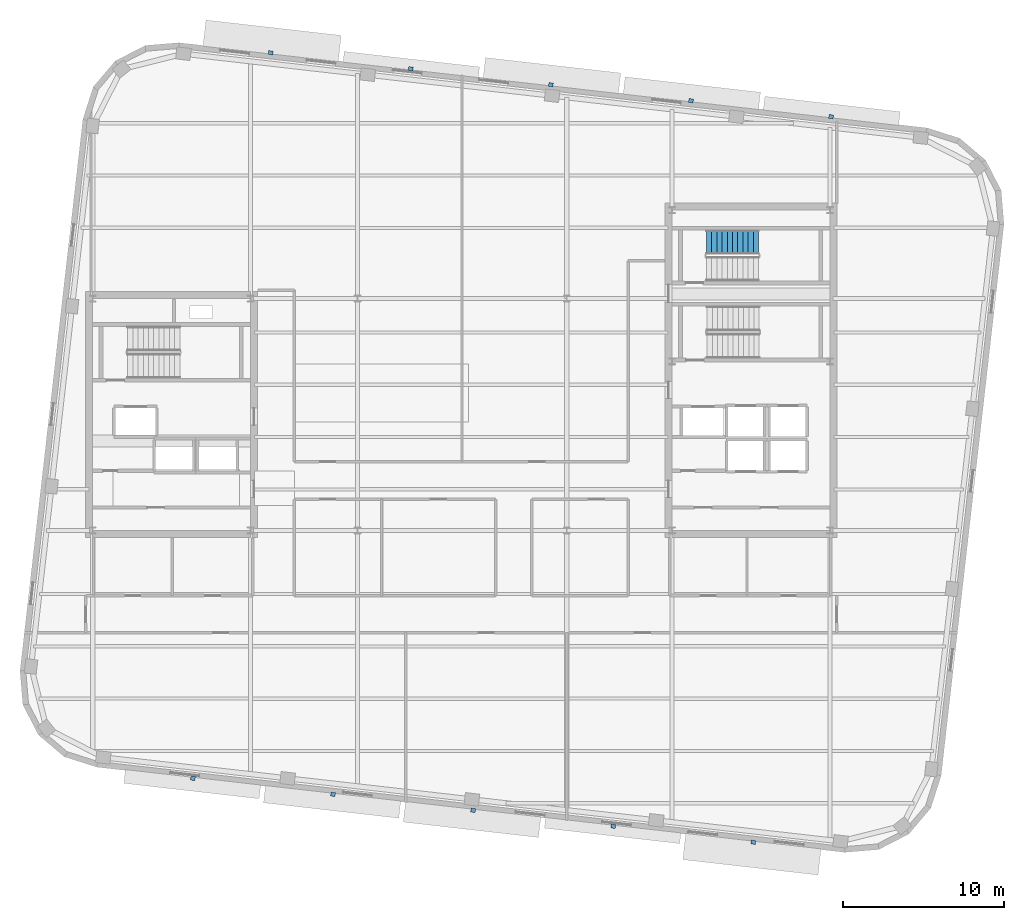
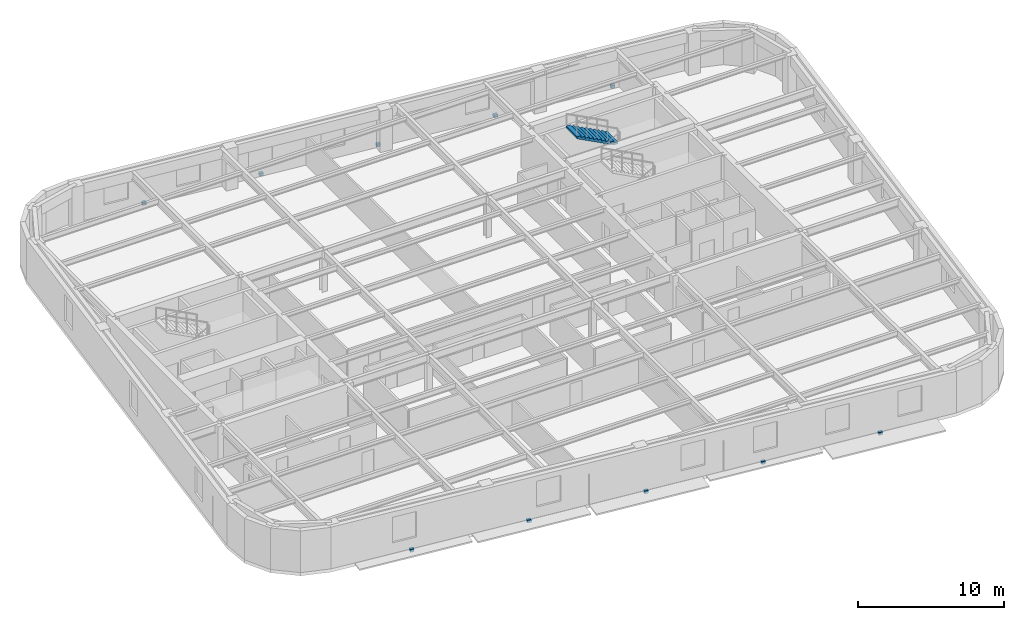
# One storey, part 9 of 13: 10 discrete accessories, 1 stair flight, 1 element without a shape of its own.
"""IFC4 building model written with IfcOpenShell, lengths in metres."""

from ifc_helpers import new_model, si_unit, direction, frame, origin, origin_2d, place, context, subcontext, project, spatial, polyline, rectangle, outline, extrude, material, type_object, element, aggregate, save


model = new_model("IFC4")

# Units and contexts
model_context = context("Model", 3, precision=1e-05, world=origin(), true_north=direction((0.0, 1.0)))
body_context = subcontext(model_context, "Body", "Model", "MODEL_VIEW")
ifc_project = project(units=[si_unit("LENGTHUNIT", "METRE"), si_unit("AREAUNIT", "SQUARE_METRE"), si_unit("VOLUMEUNIT", "CUBIC_METRE"), si_unit("PLANEANGLEUNIT", "RADIAN"), si_unit("MASSUNIT", "GRAM", prefix="KILO")], contexts=[model_context])

# Site, building, storey
site_placement = place(None, origin())
site = spatial("IfcSite", under=ifc_project, at=site_placement, CompositionType="ELEMENT")
building_placement = place(site_placement, origin())
building = spatial("IfcBuilding", under=site, at=building_placement, Name="Kolvaren Arena Tower", CompositionType="ELEMENT")
storey_placement = place(building_placement, frame((0.0, 0.0, 262.199951171875)))
storey = spatial("IfcBuildingStorey", under=building, at=storey_placement, Name="L64", CompositionType="ELEMENT", Elevation=262.199951171875)

# Stair, stair flight
ifc_material_1 = material(Name="Concrete 45 MPa", Category="concrete")
stair_type = type_object("IfcStairType", Name="STAIR-CORE-150", PredefinedType="HALF_TURN_STAIR", material=ifc_material_1)
stair_placement = place(storey_placement, origin())
stair = element("IfcStair", 1, at=stair_placement, inside=storey, type_object=stair_type, Name="L64 ST-E2", PredefinedType="HALF_TURN_STAIR")
stair_flight_type = type_object("IfcStairFlightType", Name="FLT-150", PredefinedType="STRAIGHT", material=ifc_material_1)
stair_flight_placement = place(storey_placement, frame((55.919921875, 37.35009765625, 1.875), z_axis=(0.0, 0.0, 1.0), x_axis=(-1.0, 0.0, 0.0)))
stair_flight = element("IfcStairFlight", 2, at=stair_flight_placement, type_object=stair_flight_type, Name="ST-E2 flight 2", NumberOfRisers=11, NumberOfTreads=10, PredefinedType="STRAIGHT", RiserHeight=0.170454545, TreadLength=0.324, context=body_context, shape_type="SweptSolid", body=[
    extrude(outline(polyline([(0.0, 0.0), (0.0, 0.17041015625), (0.323974609375, 0.17041015625), (0.323974609375, 0.3408203125), (0.64794921875, 0.3408203125), (0.64794921875, 0.511474609375), (0.971923828125, 0.511474609375), (0.971923828125, 0.681884765625), (1.2958984375, 0.681884765625), (1.2958984375, 0.852294921875), (1.6201171875, 0.852294921875), (1.6201171875, 1.022705078125), (1.944091796875, 1.022705078125), (1.944091796875, 1.193115234375), (2.26806640625, 1.193115234375), (2.26806640625, 1.363525390625), (2.592041015625, 1.363525390625), (2.592041015625, 1.5341796875), (2.916015625, 1.5341796875), (2.916015625, 1.70458984375), (3.239990234375, 1.70458984375), (3.239990234375, 1.875), (3.239990234375, 1.53515625), (0.322021484375, 0.0), (0.0, 0.0)])), frame((0.0, 0.75, 0.0), z_axis=(0.0, -1.0, 0.0), x_axis=(1.0, 0.0, 0.0)), (0.0, 0.0, 1.0), 1.5),
])
aggregate(stair, [stair_flight])

# Discrete accessories
ifc_material_2 = material(Name="Stainless steel facade support bracket", Category="steel")
discrete_accessory_type = type_object("IfcDiscreteAccessoryType", Name="ACC-BRKT-1", PredefinedType="BRACKET", material=ifc_material_2)
for number, where, z_axis, x_axis, name in (
    (3, (25.60986328125, 49.12451171875, -0.18017578125), (0.0, 0.0, 1.0), (0.993571658098, -0.113204947878, 0.0), "Sunshade Support Bracket (L64)"),
    (4, (34.313720703125, 48.1328125, -0.18017578125), (0.0, 0.0, 1.0), (0.993571658098, -0.113204947878, 0.0), "Sunshade Support Bracket (L64)"),
    (5, (43.017333984375, 47.141357421875, -0.18017578125), (0.0, 0.0, 1.0), (0.993571658098, -0.113204947878, 0.0), "Sunshade Support Bracket (L64)"),
    (6, (51.720947265625, 46.149658203125, -0.18017578125), (0.0, 0.0, 1.0), (0.993571658098, -0.113204947878, 0.0), "Sunshade Support Bracket (L64)"),
    (7, (60.424560546875, 45.157958984375, -0.18017578125), (0.0, 0.0, 1.0), (0.993571658098, -0.113204947878, 0.0), "Sunshade Support Bracket (L64)"),
    (8, (55.590087890625, 0.075439453125, -0.18017578125), (0.0, 0.0, 1.0), (-0.993571658098, 0.113204947878, 0.0), "Sunshade Support Bracket (L64)"),
    (9, (46.886474609375, 1.067138671875, -0.18017578125), (0.0, 0.0, 1.0), (-0.993571658098, 0.113204947878, 0.0), "Sunshade Support Bracket (L64)"),
    (10, (38.1826171875, 2.05859375, -0.18017578125), (0.0, 0.0, 1.0), (-0.993571658098, 0.113204947878, 0.0), "Sunshade Support Bracket (L64)"),
    (11, (29.47900390625, 3.05029296875, -0.18017578125), (0.0, 0.0, 1.0), (-0.993571658098, 0.113204947878, 0.0), "Sunshade Support Bracket (L64)"),
    (12, (20.775390625, 4.0419921875, -0.18017578125), (0.0, 0.0, 1.0), (-0.993571658098, 0.113204947878, 0.0), "Sunshade Support Bracket (L64)"),
):
    element("IfcDiscreteAccessory", number, at=place(storey_placement, frame(where, z_axis=z_axis, x_axis=x_axis)), inside=storey, type_object=discrete_accessory_type, Name=name, PredefinedType="BRACKET", context=body_context, shape_type="SweptSolid", body=[
        extrude(rectangle(XDim=0.280029296875, YDim=0.239990234375, at=origin_2d()), origin(), (0.0, 0.0, 1.0), 0.239990234375),
    ])

save(model, "model.ifc")
